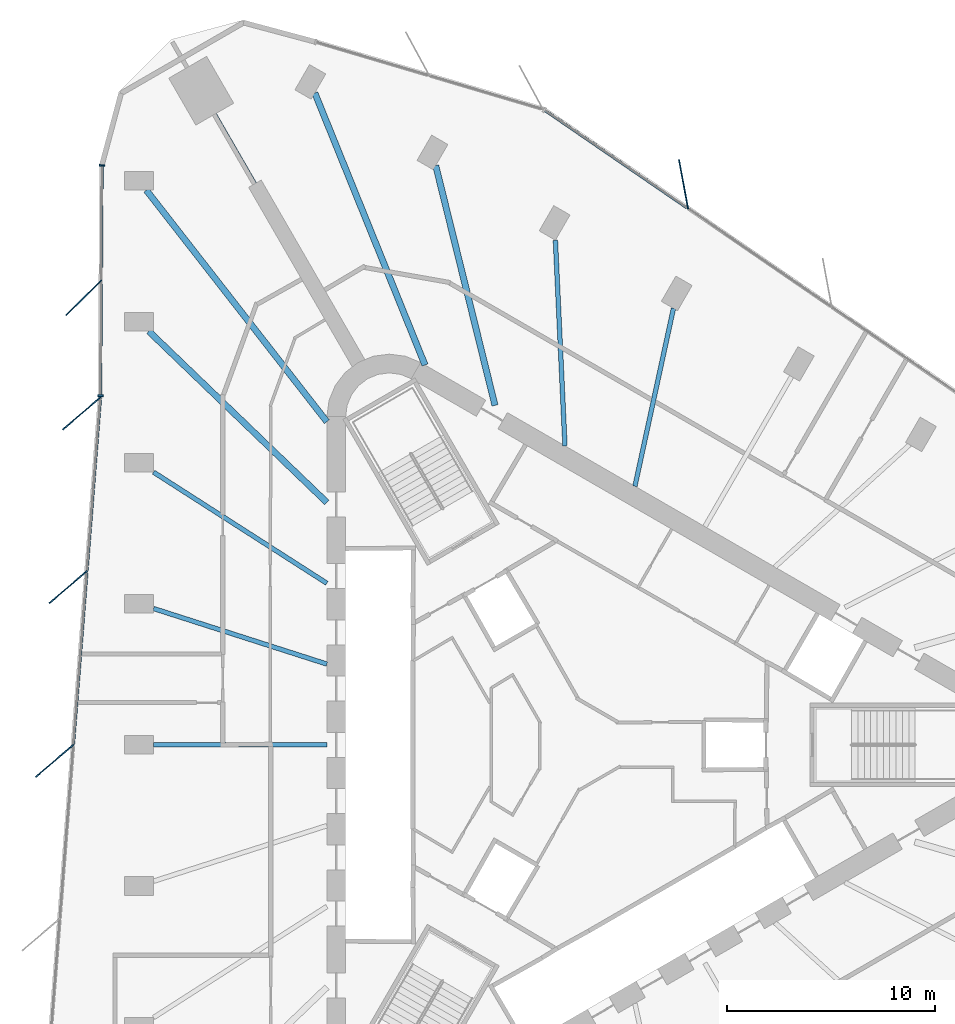
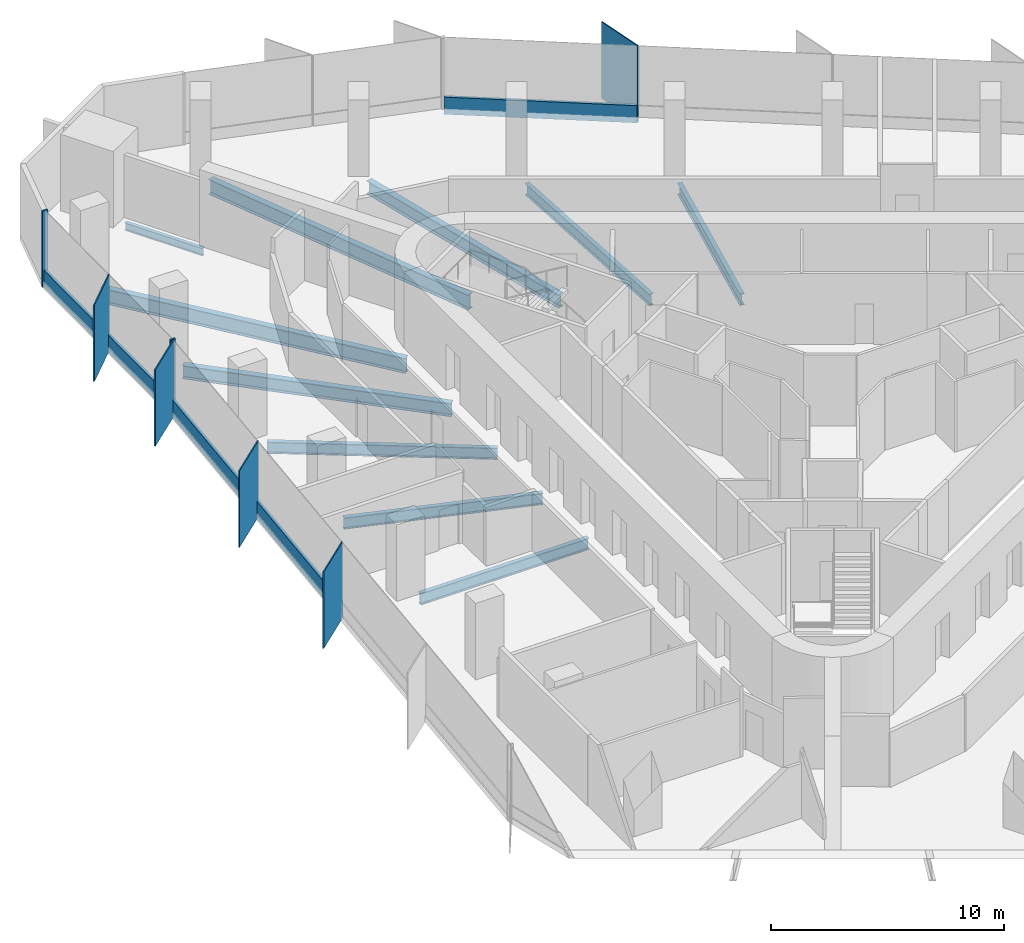
# One storey, part 4 of 13: 12 members, 10 beams, 3 elements without a shape of their own.
"""IFC4 building model written with IfcOpenShell, lengths in metres."""

from ifc_helpers import new_model, si_unit, direction, frame, origin, origin_2d, place, context, subcontext, project, spatial, rectangle, i_section, extrude, material, material_profile, profile_set, type_object, element, aggregate, save


model = new_model("IFC4")

# Units and contexts
model_context = context("Model", 3, precision=1e-05, world=origin(), true_north=direction((0.0, 1.0)))
body_context = subcontext(model_context, "Body", "Model", "MODEL_VIEW")
ifc_project = project(units=[si_unit("LENGTHUNIT", "METRE"), si_unit("AREAUNIT", "SQUARE_METRE"), si_unit("VOLUMEUNIT", "CUBIC_METRE"), si_unit("PLANEANGLEUNIT", "RADIAN"), si_unit("MASSUNIT", "GRAM", prefix="KILO")], contexts=[model_context])

# Site, building, storey
site_placement = place(None, origin())
site = spatial("IfcSite", under=ifc_project, at=site_placement, CompositionType="ELEMENT")
building_placement = place(site_placement, origin())
building = spatial("IfcBuilding", under=site, at=building_placement, Name="Tanit Gate Tower", CompositionType="ELEMENT")
storey_placement = place(building_placement, frame((0.0, 0.0, 269.199951171875)))
storey = spatial("IfcBuildingStorey", under=building, at=storey_placement, Name="L61", CompositionType="ELEMENT", Elevation=269.199951171875)

# Curtain wall, member
ifc_material_1 = material(Name="Aluminium bronze anodised and glass", Category="aluminium")
curtain_wall_type = type_object("IfcCurtainWallType", Name="Curtain wall typical mid", PredefinedType="NOTDEFINED", material=ifc_material_1)
curtain_wall_1_placement = place(storey_placement, origin())
curtain_wall_1 = element("IfcCurtainWall", 1, at=curtain_wall_1_placement, inside=storey, type_object=curtain_wall_type, Name="Curtain wall L61 NE2", PredefinedType="NOTDEFINED")
ifc_material_2 = material(Name="Aluminium bronze anodised", Category="aluminium")
ifc_material_profile_1 = material_profile(ifc_material_2, rectangle(XDim=2.39990234375, YDim=0.055908203125, at=origin_2d()), Name="56x2400 bronze fin mullion")
ifc_profile_set_1 = profile_set([ifc_material_profile_1], Name="Aluminium bronze anodised")
member_type_1 = type_object("IfcMemberType", Name="FIN MULLION 56x2400 bronze", PredefinedType="MULLION", material=ifc_profile_set_1)
member_1_placement = place(storey_placement, frame((5.025146484375, 26.9150390625, -0.300048828125), z_axis=(0.0, 0.0, 1.0), x_axis=(0.182983013261, -0.983116074967, 0.0)))
member_1 = element("IfcMember", 2, at=member_1_placement, type_object=member_type_1, Name="Fin mullion L61 NE2.4", PredefinedType="MULLION", context=body_context, shape_type="SweptSolid", body=[
    extrude(rectangle(XDim=2.39990234375, YDim=0.055908203125, at=origin_2d()), origin(), (0.0, 0.0, 1.0), 4.0),
])

curtain_wall_2_placement = place(storey_placement, origin())
curtain_wall_2 = element("IfcCurtainWall", 3, at=curtain_wall_2_placement, inside=storey, type_object=curtain_wall_type, Name="Curtain wall L61 W1", PredefinedType="NOTDEFINED")
member_2_placement = place(storey_placement, frame((-23.77587890625, 21.46826171875, -0.300048828125), z_axis=(0.0, 0.0, 1.0), x_axis=(0.711599250518, 0.702585586717, 0.0)))
member_2 = element("IfcMember", 4, at=member_2_placement, type_object=member_type_1, Name="Fin mullion L61 W1.2", PredefinedType="MULLION", context=body_context, shape_type="SweptSolid", body=[
    extrude(rectangle(XDim=2.39990234375, YDim=0.055908203125, at=origin_2d()), origin(), (0.0, 0.0, 1.0), 4.0),
])

# Curtain wall, members
curtain_wall_3_placement = place(storey_placement, origin())
curtain_wall_3 = element("IfcCurtainWall", 5, at=curtain_wall_3_placement, inside=storey, type_object=curtain_wall_type, Name="Curtain wall L61 W2", PredefinedType="NOTDEFINED")
member_3_placement = place(storey_placement, frame((-23.871337890625, 15.919189453125, -0.300048828125), z_axis=(0.0, 0.0, 1.0), x_axis=(0.75991198916, 0.650025975428, 0.0)))
member_3 = element("IfcMember", 6, at=member_3_placement, type_object=member_type_1, Name="Fin mullion L61 W2.1", PredefinedType="MULLION", context=body_context, shape_type="SweptSolid", body=[
    extrude(rectangle(XDim=2.39990234375, YDim=0.055908203125, at=origin_2d()), origin(), (0.0, 0.0, 1.0), 4.0),
])
member_4_placement = place(storey_placement, frame((-24.521484375, 7.57763671875, -0.300048828125), z_axis=(0.0, 0.0, 1.0), x_axis=(0.75991198916, 0.650025975428, 0.0)))
member_4 = element("IfcMember", 7, at=member_4_placement, type_object=member_type_1, Name="Fin mullion L61 W2.2", PredefinedType="MULLION", context=body_context, shape_type="SweptSolid", body=[
    extrude(rectangle(XDim=2.39990234375, YDim=0.055908203125, at=origin_2d()), origin(), (0.0, 0.0, 1.0), 4.0),
])
member_5_placement = place(storey_placement, frame((-25.171630859375, -0.763916015625, -0.300048828125), z_axis=(0.0, 0.0, 1.0), x_axis=(0.75991198916, 0.650025975428, 0.0)))
member_5 = element("IfcMember", 8, at=member_5_placement, type_object=member_type_1, Name="Fin mullion L61 W2.3", PredefinedType="MULLION", context=body_context, shape_type="SweptSolid", body=[
    extrude(rectangle(XDim=2.39990234375, YDim=0.055908203125, at=origin_2d()), origin(), (0.0, 0.0, 1.0), 4.0),
])

# Member
ifc_material_3 = material(Name="Aluminium bronze anodised", Category="aluminium")
ifc_material_profile_2 = material_profile(ifc_material_3, rectangle(XDim=0.260009765625, YDim=0.080078125, at=origin_2d()), Name="80x260 bronze mullion")
ifc_profile_set_2 = profile_set([ifc_material_profile_2], Name="Aluminium bronze anodised")
member_type_2 = type_object("IfcMemberType", Name="Mullion 80x260 typical mid", PredefinedType="MULLION", material=ifc_profile_set_2)
member_6_placement = place(storey_placement, frame((-22.90185546875, 27.82763671875, -0.300048828125), z_axis=(0.0, 0.0, 1.0), x_axis=(0.99997968826, -0.006373622797, 0.0)))
member_6 = element("IfcMember", 9, at=member_6_placement, type_object=member_type_2, Name="Mullion L61 W1.1", PredefinedType="MULLION", context=body_context, shape_type="SweptSolid", body=[
    extrude(rectangle(XDim=0.260009765625, YDim=0.080078125, at=origin_2d()), origin(), (0.0, 0.0, 1.0), 4.0),
])

member_7_placement = place(storey_placement, frame((-22.97216796875, 16.765380859375, -0.300048828125), z_axis=(0.0, 0.0, 1.0), x_axis=(0.99997968826, -0.006373622797, 0.0)))
member_7 = element("IfcMember", 10, at=member_7_placement, type_object=member_type_2, Name="Mullion L61 W1.3", PredefinedType="MULLION", context=body_context, shape_type="SweptSolid", body=[
    extrude(rectangle(XDim=0.260009765625, YDim=0.080078125, at=origin_2d()), origin(), (0.0, 0.0, 1.0), 4.0),
])

# Beams
ifc_material_4 = material(Name="Steel S355", Category="steel")
ifc_material_profile_3 = material_profile(ifc_material_4, i_section(OverallWidth=0.300048828125, OverallDepth=0.68994140625, WebThickness=0.014404296875, FlangeThickness=0.027099609375, FilletRadius=0.027099609375, at=origin_2d()), Name="HEA 700")
ifc_profile_set_3 = profile_set([ifc_material_profile_3], Name="Steel S355")
beam_type_1 = type_object("IfcBeamType", Name="RADIAL GIRDER HEA 700 S355", PredefinedType="BEAM", material=ifc_profile_set_3)
beam_1_placement = place(storey_placement, frame((-6.875, 27.818115234375, -0.64501953125), z_axis=(0.239929921854, -0.970790210395, 0.0), x_axis=(0.970790210395, 0.239929921854, 0.0)))
element("IfcBeam", 11, at=beam_1_placement, inside=storey, type_object=beam_type_1, Name="RADIAL GIRDER", PredefinedType="BEAM", context=body_context, shape_type="SweptSolid", body=[
    extrude(i_section(OverallWidth=0.300048828125, OverallDepth=0.68994140625, WebThickness=0.014404296875, FlangeThickness=0.027099609375, FilletRadius=0.027099609375, at=origin_2d()), origin(), (0.0, 0.0, 1.0), 11.86474609375),
])
beam_2_placement = place(storey_placement, frame((-20.653564453125, 19.86279296875, -0.64501953125), z_axis=(0.720779680612, -0.693164231634, 0.0), x_axis=(0.693164231634, 0.720779680612, 0.0)))
element("IfcBeam", 12, at=beam_2_placement, inside=storey, type_object=beam_type_1, Name="RADIAL GIRDER", PredefinedType="BEAM", context=body_context, shape_type="SweptSolid", body=[
    extrude(i_section(OverallWidth=0.300048828125, OverallDepth=0.68994140625, WebThickness=0.014404296875, FlangeThickness=0.027099609375, FilletRadius=0.027099609375, at=origin_2d()), origin(), (0.0, 0.0, 1.0), 11.8642578125),
])
ifc_material_5 = material(Name="Steel S355", Category="steel")
ifc_material_profile_4 = material_profile(ifc_material_5, i_section(OverallWidth=0.300048828125, OverallDepth=0.7900390625, WebThickness=0.014892578125, FlangeThickness=0.028076171875, FilletRadius=0.030029296875, at=origin_2d()), Name="HEA 800")
ifc_profile_set_4 = profile_set([ifc_material_profile_4], Name="Steel S355")
beam_type_2 = type_object("IfcBeamType", Name="RADIAL GIRDER HEA 800 S355", PredefinedType="BEAM", material=ifc_profile_set_4)
beam_3_placement = place(storey_placement, frame((-12.680419921875, 31.3046875, -0.695068359375), z_axis=(0.375439354179, -0.926846962197, 0.0), x_axis=(0.926846962197, 0.375439354179, 0.0)))
element("IfcBeam", 13, at=beam_3_placement, inside=storey, type_object=beam_type_2, Name="RADIAL GIRDER", PredefinedType="BEAM", context=body_context, shape_type="SweptSolid", body=[
    extrude(i_section(OverallWidth=0.300048828125, OverallDepth=0.7900390625, WebThickness=0.014892578125, FlangeThickness=0.028076171875, FilletRadius=0.030029296875, at=origin_2d()), origin(), (0.0, 0.0, 1.0), 14.09619140625),
])
beam_4_placement = place(storey_placement, frame((-20.7705078125, 26.6337890625, -0.695068359375), z_axis=(0.614960509334, -0.788557906536, 0.0), x_axis=(0.788557906536, 0.614960509334, 0.0)))
element("IfcBeam", 14, at=beam_4_placement, inside=storey, type_object=beam_type_2, Name="RADIAL GIRDER", PredefinedType="BEAM", context=body_context, shape_type="SweptSolid", body=[
    extrude(i_section(OverallWidth=0.300048828125, OverallDepth=0.7900390625, WebThickness=0.014892578125, FlangeThickness=0.028076171875, FilletRadius=0.030029296875, at=origin_2d()), origin(), (0.0, 0.0, 1.0), 14.095947265625),
])
ifc_material_6 = material(Name="Steel S355", Category="steel")
ifc_material_profile_5 = material_profile(ifc_material_6, i_section(OverallWidth=0.179931640625, OverallDepth=0.39990234375, WebThickness=0.008544921875, FlangeThickness=0.013427734375, FilletRadius=0.02099609375, at=origin_2d()), Name="IPE 400")
ifc_profile_set_5 = profile_set([ifc_material_profile_5], Name="Steel S355")
beam_type_3 = type_object("IfcBeamType", Name="RADIAL GIRDER IPE 400 S355", PredefinedType="BEAM", material=ifc_profile_set_5)
beam_5_placement = place(storey_placement, frame((-17.485107421875, 30.28515625, -0.5), z_axis=(0.499980071345, -0.866036909293, 0.0), x_axis=(0.866036909293, 0.499980071345, 0.0)))
element("IfcBeam", 15, at=beam_5_placement, inside=storey, type_object=beam_type_3, Name="RADIAL GIRDER", PredefinedType="BEAM", context=body_context, shape_type="SweptSolid", body=[
    extrude(i_section(OverallWidth=0.179931640625, OverallDepth=0.39990234375, WebThickness=0.008544921875, FlangeThickness=0.013427734375, FilletRadius=0.02099609375, at=origin_2d()), origin(), (0.0, 0.0, 1.0), 3.855712890625),
])
ifc_material_7 = material(Name="Steel S355", Category="steel")
ifc_material_profile_6 = material_profile(ifc_material_7, i_section(OverallWidth=0.219970703125, OverallDepth=0.60009765625, WebThickness=0.011962890625, FlangeThickness=0.01904296875, FilletRadius=0.02392578125, at=origin_2d()), Name="IPE 600")
ifc_profile_set_6 = profile_set([ifc_material_profile_6], Name="Steel S355")
beam_type_4 = type_object("IfcBeamType", Name="RADIAL GIRDER IPE 600 S355", PredefinedType="BEAM", material=ifc_profile_set_6)
beam_6_placement = place(storey_placement, frame((4.541259765625, 20.958740234375, -0.599853515625), z_axis=(-0.211767137826, -0.977320151914, 0.0), x_axis=(0.977320151914, -0.211767137826, 0.0)))
element("IfcBeam", 16, at=beam_6_placement, inside=storey, type_object=beam_type_4, Name="RADIAL GIRDER", PredefinedType="BEAM", context=body_context, shape_type="SweptSolid", body=[
    extrude(i_section(OverallWidth=0.219970703125, OverallDepth=0.60009765625, WebThickness=0.011962890625, FlangeThickness=0.01904296875, FilletRadius=0.02392578125, at=origin_2d()), origin(), (0.0, 0.0, 1.0), 8.736572265625),
])
beam_7_placement = place(storey_placement, frame((-1.12841796875, 24.232177734375, -0.599853515625), z_axis=(0.046517005863, -0.998917498178, 0.0), x_axis=(0.998917498178, 0.046517005863, 0.0)))
element("IfcBeam", 17, at=beam_7_placement, inside=storey, type_object=beam_type_4, Name="RADIAL GIRDER", PredefinedType="BEAM", context=body_context, shape_type="SweptSolid", body=[
    extrude(i_section(OverallWidth=0.219970703125, OverallDepth=0.60009765625, WebThickness=0.011962890625, FlangeThickness=0.01904296875, FilletRadius=0.02392578125, at=origin_2d()), origin(), (0.0, 0.0, 1.0), 9.8828125),
])
beam_8_placement = place(storey_placement, frame((-20.42138671875, 13.09326171875, -0.599853515625), z_axis=(0.841829634381, -0.539743334075, 0.0), x_axis=(0.539743334075, 0.841829634381, 0.0)))
element("IfcBeam", 18, at=beam_8_placement, inside=storey, type_object=beam_type_4, Name="RADIAL GIRDER", PredefinedType="BEAM", context=body_context, shape_type="SweptSolid", body=[
    extrude(i_section(OverallWidth=0.219970703125, OverallDepth=0.60009765625, WebThickness=0.011962890625, FlangeThickness=0.01904296875, FilletRadius=0.02392578125, at=origin_2d()), origin(), (0.0, 0.0, 1.0), 9.88232421875),
])
beam_9_placement = place(storey_placement, frame((-20.42138671875, 6.546630859375, -0.599853515625), z_axis=(0.952264375412, -0.305274563828, 0.0), x_axis=(0.305274563828, 0.952264375412, 0.0)))
element("IfcBeam", 19, at=beam_9_placement, inside=storey, type_object=beam_type_4, Name="RADIAL GIRDER", PredefinedType="BEAM", context=body_context, shape_type="SweptSolid", body=[
    extrude(i_section(OverallWidth=0.219970703125, OverallDepth=0.60009765625, WebThickness=0.011962890625, FlangeThickness=0.01904296875, FilletRadius=0.02392578125, at=origin_2d()), origin(), (0.0, 0.0, 1.0), 8.736328125),
])
beam_10_placement = place(storey_placement, frame((-20.42138671875, 0.0, -0.599853515625), z_axis=(1.0, 0.0, 0.0), x_axis=(0.0, 1.0, 0.0)))
element("IfcBeam", 20, at=beam_10_placement, inside=storey, type_object=beam_type_4, Name="RADIAL GIRDER", PredefinedType="BEAM", context=body_context, shape_type="SweptSolid", body=[
    extrude(i_section(OverallWidth=0.219970703125, OverallDepth=0.60009765625, WebThickness=0.011962890625, FlangeThickness=0.01904296875, FilletRadius=0.02392578125, at=origin_2d()), origin(), (0.0, 0.0, 1.0), 8.3193359375),
])

# Member
ifc_material_8 = material(Name="Aluminium bronze anodised", Category="aluminium")
ifc_material_profile_7 = material_profile(ifc_material_8, rectangle(XDim=0.139892578125, YDim=0.89990234375, at=origin_2d()), Name="140x900 bronze transom")
ifc_profile_set_7 = profile_set([ifc_material_profile_7], Name="Aluminium bronze anodised")
member_type_3 = type_object("IfcMemberType", Name="Transom 140x900 typical mid", PredefinedType="USERDEFINED", material=ifc_profile_set_7)
member_8_placement = place(storey_placement, frame((5.2080078125, 25.77880859375, 0.150146484375), z_axis=(-0.824560783398, 0.565773377318, 0.0), x_axis=(-0.565773377318, -0.824560783398, 0.0)))
member_8 = element("IfcMember", 21, at=member_8_placement, type_object=member_type_3, Name="Transom L61 NE2.4", ObjectType="TRANSOM", PredefinedType="USERDEFINED", context=body_context, shape_type="SweptSolid", body=[
    extrude(rectangle(XDim=0.139892578125, YDim=0.89990234375, at=origin_2d()), origin(), (0.0, 0.0, 1.0), 8.286865234375),
])

aggregate(curtain_wall_1, [member_1, member_8])

member_9_placement = place(storey_placement, frame((-22.902099609375, 27.787841796875, 0.150146484375), z_axis=(-0.006359599087, -0.999979777545, 0.0), x_axis=(0.999979777545, -0.006359599087, 0.0)))
member_9 = element("IfcMember", 22, at=member_9_placement, type_object=member_type_3, Name="Transom L61 W1.1", ObjectType="TRANSOM", PredefinedType="USERDEFINED", context=body_context, shape_type="SweptSolid", body=[
    extrude(rectangle(XDim=0.139892578125, YDim=0.89990234375, at=origin_2d()), origin(), (0.0, 0.0, 1.0), 5.451171875),
])

member_10_placement = place(storey_placement, frame((-22.937255859375, 22.256591796875, 0.150146484375), z_axis=(-0.006359314285, -0.999979779356, 0.0), x_axis=(0.999979779356, -0.006359314285, 0.0)))
member_10 = element("IfcMember", 23, at=member_10_placement, type_object=member_type_3, Name="Transom L61 W1.2", ObjectType="TRANSOM", PredefinedType="USERDEFINED", context=body_context, shape_type="SweptSolid", body=[
    extrude(rectangle(XDim=0.139892578125, YDim=0.89990234375, at=origin_2d()), origin(), (0.0, 0.0, 1.0), 5.451416015625),
])

aggregate(curtain_wall_2, [member_6, member_2, member_7, member_9, member_10])

member_11_placement = place(storey_placement, frame((-22.978759765625, 16.6455078125, 0.150146484375), z_axis=(-0.07769000697, -0.996977563848, 0.0), x_axis=(0.996977563848, -0.07769000697, 0.0)))
member_11 = element("IfcMember", 24, at=member_11_placement, type_object=member_type_3, Name="Transom L61 W2.1", ObjectType="TRANSOM", PredefinedType="USERDEFINED", context=body_context, shape_type="SweptSolid", body=[
    extrude(rectangle(XDim=0.139892578125, YDim=0.89990234375, at=origin_2d()), origin(), (0.0, 0.0, 1.0), 8.286865234375),
])

member_12_placement = place(storey_placement, frame((-23.62890625, 8.303955078125, 0.150146484375), z_axis=(-0.07768772509, -0.996977741662, 0.0), x_axis=(0.996977741662, -0.07768772509, 0.0)))
member_12 = element("IfcMember", 25, at=member_12_placement, type_object=member_type_3, Name="Transom L61 W2.2", ObjectType="TRANSOM", PredefinedType="USERDEFINED", context=body_context, shape_type="SweptSolid", body=[
    extrude(rectangle(XDim=0.139892578125, YDim=0.89990234375, at=origin_2d()), origin(), (0.0, 0.0, 1.0), 8.287109375),
])

aggregate(curtain_wall_3, [member_3, member_4, member_5, member_11, member_12])

save(model, "model.ifc")
